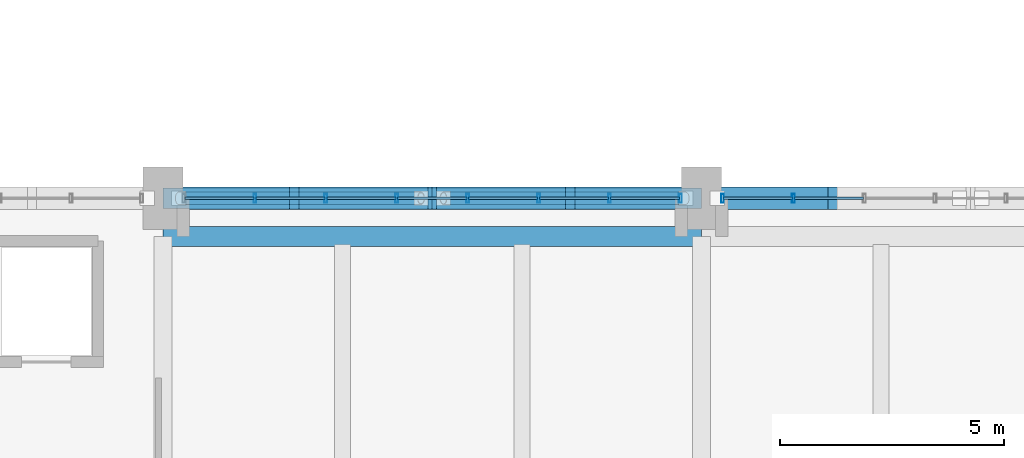
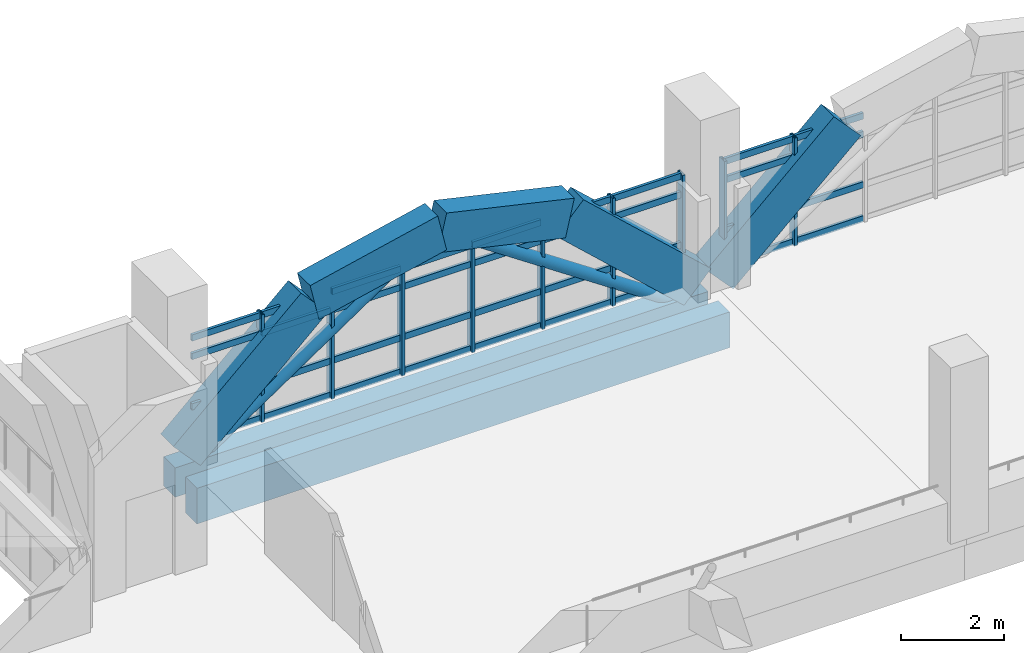
# One storey, part 30 of 161: 47 members, 7 beams, 2 elements without a shape of their own.
"""IFC4 building model written with IfcOpenShell, lengths in metres."""

import ifcopenshell
import ifcopenshell.guid

model = None  # the IFC model being written
_history = None  # IfcOwnerHistory: only IFC2X3 demands one
_inside = {}  # id of a spatial element -> (the spatial element, [elements in it])
_under = {}  # id of a project, library or spatial element -> (it, [spatial elements below it])
_declared = {}  # id of a project -> (the project, [libraries it declares])
_typed = {}  # id of a type object -> (the type object, [elements of that type])
_made_of = {}  # id of a material, layer set ... -> (it, [elements and type objects made of it])


def new_model(schema):
    """Start an empty IFC model of exactly this schema.

    Asked for "IFC4X3", IfcOpenShell would pick the latest addendum, in which some entities
    have other attributes; the version numbers below select the first issue.
    IFC2X3 requires an IfcOwnerHistory on every rooted entity: one is made here for all.
    """
    global model, _history
    if schema == "IFC4X3":
        model = ifcopenshell.file(schema_version=(4, 3, 0, 0))
    else:
        model = ifcopenshell.file(schema=schema)
    _inside.clear()
    _under.clear()
    _declared.clear()
    _typed.clear()
    _made_of.clear()
    _history = None
    if model.schema == "IFC2X3":
        org = make("IfcOrganization", Name="unknown")
        user = make(
            "IfcPersonAndOrganization",
            ThePerson=make("IfcPerson", FamilyName="unknown"),
            TheOrganization=org,
        )
        app = make(
            "IfcApplication",
            ApplicationDeveloper=org,
            Version="unknown",
            ApplicationFullName="unknown",
            ApplicationIdentifier="unknown",
        )
        _history = make(
            "IfcOwnerHistory",
            OwningUser=user,
            OwningApplication=app,
            ChangeAction="ADDED",
            CreationDate=0,
        )
    return model


def make(cls, **values):
    """One entity of the class cls with the attributes given. An attribute that is None is left unset."""
    return model.create_entity(
        cls, **{name: value for name, value in values.items() if value is not None}
    )


def rooted(cls, **values):
    """An entity with a GlobalId (a new one), such as an element, a storey or a relation."""
    return make(cls, GlobalId=ifcopenshell.guid.new(), OwnerHistory=_history, **values)


def si_unit(unit_type, name, prefix=None):
    """IfcSIUnit, for example si_unit("LENGTHUNIT", "METRE", prefix="MILLI")."""
    return make("IfcSIUnit", UnitType=unit_type, Prefix=prefix, Name=name)


def assignment(units):
    """IfcUnitAssignment: the units of a project."""
    return None if units is None else make("IfcUnitAssignment", Units=units)


def point(xyz):
    """IfcCartesianPoint."""
    return None if xyz is None else make("IfcCartesianPoint", Coordinates=xyz)


def direction(xyz):
    """IfcDirection."""
    return None if xyz is None else make("IfcDirection", DirectionRatios=xyz)


def frame(location, z_axis=None, x_axis=None):
    """IfcAxis2Placement3D, a coordinate frame: its origin and axes. An axis left out is left unset."""
    return make(
        "IfcAxis2Placement3D",
        Location=point(location),
        Axis=direction(z_axis),
        RefDirection=direction(x_axis),
    )


def frame_2d(location, x_axis=None):
    """IfcAxis2Placement2D, a coordinate frame in the plane: its origin and x axis."""
    return make(
        "IfcAxis2Placement2D", Location=point(location), RefDirection=direction(x_axis)
    )


def origin():
    """The frame at (0, 0, 0) with its axes left unset."""
    return frame((0.0, 0.0, 0.0))


def origin_2d():
    """The frame at (0, 0) in the plane with its x axis left unset."""
    return frame_2d((0.0, 0.0))


def place(relative_to, where):
    """IfcLocalPlacement: puts the frame where relative to a parent placement (None: the world)."""
    return make(
        "IfcLocalPlacement", PlacementRelTo=relative_to, RelativePlacement=where
    )


def context(
    kind, dimensions, precision=None, world=None, true_north=None, identifier=None
):
    """IfcGeometricRepresentationContext, for example the 3D "Model" context."""
    return make(
        "IfcGeometricRepresentationContext",
        ContextIdentifier=identifier,
        ContextType=kind,
        CoordinateSpaceDimension=dimensions,
        Precision=precision,
        WorldCoordinateSystem=world,
        TrueNorth=true_north,
    )


def subcontext(parent, identifier, kind, view, scale=None):
    """IfcGeometricRepresentationSubContext, for example "Body" below "Model"."""
    return make(
        "IfcGeometricRepresentationSubContext",
        ContextIdentifier=identifier,
        ContextType=kind,
        ParentContext=parent,
        TargetScale=scale,
        TargetView=view,
    )


def project(units=None, contexts=None):
    """IfcProject with its units and contexts."""
    return rooted(
        "IfcProject",
        Name="project",
        RepresentationContexts=contexts,
        UnitsInContext=assignment(units),
    )


def spatial(cls, under=None, at=None, **own):
    """A site, building, storey or space (cls), placed at a placement, below another one or the project."""
    s = rooted(cls, ObjectPlacement=at, **own)
    if under is not None:
        _under.setdefault(under.id(), (under, []))[1].append(s)
    return s


def profile(cls, at=None, kind="AREA", **sizes):
    """A parametric profile (cls). Its sizes go by their IFC names, for example OverallWidth=200.0."""
    return make(cls, ProfileType=kind, Position=at, **sizes)


def rectangle(**sizes):
    """IfcRectangleProfileDef."""
    return profile("IfcRectangleProfileDef", **sizes)


def hollow_rectangle(**sizes):
    """IfcRectangleHollowProfileDef."""
    return profile("IfcRectangleHollowProfileDef", **sizes)


def hollow_circle(**sizes):
    """IfcCircleHollowProfileDef."""
    return profile("IfcCircleHollowProfileDef", **sizes)


def extrude(swept, where, along, depth):
    """IfcExtrudedAreaSolid: the profile swept, set in the frame where, extruded along a direction by depth."""
    return make(
        "IfcExtrudedAreaSolid",
        SweptArea=swept,
        Position=where,
        ExtrudedDirection=direction(along),
        Depth=depth,
    )


def shape(context_of_items, identifier, shape_type, items):
    """IfcShapeRepresentation: the items that make up one representation, for example the "Body"."""
    return make(
        "IfcShapeRepresentation",
        ContextOfItems=context_of_items,
        RepresentationIdentifier=identifier,
        RepresentationType=shape_type,
        Items=items,
    )


def material(Name=None, Category=None):
    """IfcMaterial."""
    return make("IfcMaterial", Name=Name, Category=Category)


def layer(
    of_material, thickness, ventilated=None, Name=None, Category=None, Priority=None
):
    """IfcMaterialLayer: one layer of a wall or slab, of a material (None: an air gap)."""
    return make(
        "IfcMaterialLayer",
        Material=of_material,
        LayerThickness=thickness,
        IsVentilated=ventilated,
        Name=Name,
        Category=Category,
        Priority=Priority,
    )


def layer_set(layers, Name=None):
    """IfcMaterialLayerSet."""
    return make("IfcMaterialLayerSet", MaterialLayers=layers, LayerSetName=Name)


def material_profile(
    of_material, cross_section, Name=None, Category=None, Priority=None
):
    """IfcMaterialProfile: a cross section and its material."""
    return make(
        "IfcMaterialProfile",
        Name=Name,
        Material=of_material,
        Profile=cross_section,
        Priority=Priority,
        Category=Category,
    )


def profile_set(profiles, Name=None, composite=None):
    """IfcMaterialProfileSet."""
    return make(
        "IfcMaterialProfileSet",
        Name=Name,
        MaterialProfiles=profiles,
        CompositeProfile=composite,
    )


def made_of(thing, what):
    """Note that an element or type object is made of a material, layer set ...; save() writes the relation."""
    if what is not None:
        _made_of.setdefault(what.id(), (what, []))[1].append(thing)
    return thing


def type_object(cls, material=None, **own):
    """A type object (cls), such as IfcWallType, which elements share."""
    return made_of(rooted(cls, **own), material)


def element(
    cls,
    number,
    at=None,
    inside=None,
    cuts=None,
    type_object=None,
    material=None,
    context=None,
    identifier="Body",
    shape_type=None,
    held_by="IfcProductDefinitionShape",
    body=None,
    shapes=None,
    **own,
):
    """One element of the class cls, such as IfcWall. Its Tag is "e" and its number.

    at: its placement. inside: the storey or other place that contains it. cuts: it is an
    opening in that element (IfcRelVoidsElement). A single representation is given by context,
    identifier, shape_type and body (its items); several are given by shapes. held_by: the class
    of the entity that holds the representations. save() writes the other relations.
    """
    e = rooted(cls, Tag="e%d" % number, ObjectPlacement=at, **own)
    if body is not None:
        shapes = [shape(context, identifier, shape_type, body)]
    if shapes is not None:
        e.Representation = make(held_by, Representations=shapes)
    if inside is not None:
        _inside.setdefault(inside.id(), (inside, []))[1].append(e)
    if cuts is not None:
        rooted(
            "IfcRelVoidsElement", RelatingBuildingElement=cuts, RelatedOpeningElement=e
        )
    if type_object is not None:
        _typed.setdefault(type_object.id(), (type_object, []))[1].append(e)
    return made_of(e, material)


def aggregate(whole, parts):
    """IfcRelAggregates: a whole, such as a stair, and the parts it consists of."""
    return rooted("IfcRelAggregates", RelatingObject=whole, RelatedObjects=parts)


def save(model, path):
    """Write the relations noted so far, then the file.

    IfcRelAggregates (storeys below a building ...), IfcRelContainedInSpatialStructure (elements
    in a storey), IfcRelDefinesByType, IfcRelAssociatesMaterial and IfcRelDeclares: one each for
    every whole, place, type object, material and project.
    """
    for whole, parts in _under.values():
        aggregate(whole, parts)
    for where, things in _inside.values():
        rooted(
            "IfcRelContainedInSpatialStructure",
            RelatedElements=things,
            RelatingStructure=where,
        )
    for kind, things in _typed.values():
        rooted("IfcRelDefinesByType", RelatedObjects=things, RelatingType=kind)
    for what, things in _made_of.values():
        rooted("IfcRelAssociatesMaterial", RelatedObjects=things, RelatingMaterial=what)
    for by, libraries in _declared.values():
        rooted("IfcRelDeclares", RelatingContext=by, RelatedDefinitions=libraries)
    model.write(path)


model = new_model("IFC4")

# Units and contexts
model_context = context("Model", 3, precision=1e-05, world=origin(), true_north=direction((0.0, 1.0)))
body_context = subcontext(model_context, "Body", "Model", "MODEL_VIEW")
ifc_project = project(units=[si_unit("LENGTHUNIT", "METRE"), si_unit("AREAUNIT", "SQUARE_METRE"), si_unit("VOLUMEUNIT", "CUBIC_METRE"), si_unit("PLANEANGLEUNIT", "RADIAN"), si_unit("MASSUNIT", "GRAM", prefix="KILO")], contexts=[model_context])

# Site, building, storey
site_placement = place(None, origin())
site = spatial("IfcSite", under=ifc_project, at=site_placement, CompositionType="ELEMENT")
building_placement = place(site_placement, origin())
building = spatial("IfcBuilding", under=site, at=building_placement, Name="Mersad Railyard Sports Hall", CompositionType="ELEMENT")
storey_placement = place(building_placement, frame((0.0, 0.0, 4.800048828125)))
storey = spatial("IfcBuildingStorey", under=building, at=storey_placement, Name="L01", CompositionType="ELEMENT", Elevation=4.800048828125)

# Curtain wall, members
ifc_material_1 = material(Name="Aluminium 6063-T6", Category="aluminium")
ifc_layer = layer(ifc_material_1, 0.199951171875)
ifc_layer_set = layer_set([ifc_layer], Name="Aluminium 6063-T6")
curtain_wall_type = type_object("IfcCurtainWallType", Name="ARC-CW-CW02", PredefinedType="USERDEFINED", material=ifc_layer_set)
curtain_wall_1_placement = place(storey_placement, origin())
curtain_wall_1 = element("IfcCurtainWall", 1, at=curtain_wall_1_placement, inside=storey, type_object=curtain_wall_type, Name="Curtain wall CW02-0006", ObjectType="CURTAIN WALL", PredefinedType="USERDEFINED")
ifc_material_profile_1 = material_profile(ifc_material_1, hollow_rectangle(XDim=0.06494140625, YDim=0.199951171875, WallThickness=0.0048828125, at=origin_2d()), Name="AL MULLION 65x200x5")
ifc_profile_set_1 = profile_set([ifc_material_profile_1], Name="Aluminium 6063-T6")
member_type_1 = type_object("IfcMemberType", Name="ARC-CW-MUL02", PredefinedType="MULLION", material=ifc_profile_set_1)
member_1_placement = place(storey_placement, frame((21.050048828125, 53.5, -0.02001953125), z_axis=(0.0, 0.0, 1.0), x_axis=(1.0, 0.0, 0.0)))
member_1 = element("IfcMember", 2, at=member_1_placement, type_object=member_type_1, Name="CW02 Mullion 2", PredefinedType="MULLION", context=body_context, shape_type="SweptSolid", body=[
    extrude(hollow_rectangle(XDim=0.06494140625, YDim=0.199951171875, WallThickness=0.0048828125, at=origin_2d()), origin(), (0.0, 0.0, 1.0), 2.570068359375),
])
member_2_placement = place(storey_placement, frame((22.6298828125, 53.5, -0.02001953125), z_axis=(0.0, 0.0, 1.0), x_axis=(1.0, 0.0, 0.0)))
member_2 = element("IfcMember", 3, at=member_2_placement, type_object=member_type_1, Name="CW02 Mullion 3", PredefinedType="MULLION", context=body_context, shape_type="SweptSolid", body=[
    extrude(hollow_rectangle(XDim=0.06494140625, YDim=0.199951171875, WallThickness=0.0048828125, at=origin_2d()), origin(), (0.0, 0.0, 1.0), 2.570068359375),
])
member_3_placement = place(storey_placement, frame((24.2099609375, 53.5, -0.02001953125), z_axis=(0.0, 0.0, 1.0), x_axis=(1.0, 0.0, 0.0)))
member_3 = element("IfcMember", 4, at=member_3_placement, type_object=member_type_1, Name="CW02 Mullion 4", PredefinedType="MULLION", context=body_context, shape_type="SweptSolid", body=[
    extrude(hollow_rectangle(XDim=0.06494140625, YDim=0.199951171875, WallThickness=0.0048828125, at=origin_2d()), origin(), (0.0, 0.0, 1.0), 2.570068359375),
])
member_4_placement = place(storey_placement, frame((25.7900390625, 53.5, -0.02001953125), z_axis=(0.0, 0.0, 1.0), x_axis=(1.0, 0.0, 0.0)))
member_4 = element("IfcMember", 5, at=member_4_placement, type_object=member_type_1, Name="CW02 Mullion 5", PredefinedType="MULLION", context=body_context, shape_type="SweptSolid", body=[
    extrude(hollow_rectangle(XDim=0.06494140625, YDim=0.199951171875, WallThickness=0.0048828125, at=origin_2d()), origin(), (0.0, 0.0, 1.0), 2.570068359375),
])
member_5_placement = place(storey_placement, frame((27.3701171875, 53.5, -0.02001953125), z_axis=(0.0, 0.0, 1.0), x_axis=(1.0, 0.0, 0.0)))
member_5 = element("IfcMember", 6, at=member_5_placement, type_object=member_type_1, Name="CW02 Mullion 6", PredefinedType="MULLION", context=body_context, shape_type="SweptSolid", body=[
    extrude(hollow_rectangle(XDim=0.06494140625, YDim=0.199951171875, WallThickness=0.0048828125, at=origin_2d()), origin(), (0.0, 0.0, 1.0), 2.570068359375),
])
member_6_placement = place(storey_placement, frame((28.949951171875, 53.5, -0.02001953125), z_axis=(0.0, 0.0, 1.0), x_axis=(1.0, 0.0, 0.0)))
member_6 = element("IfcMember", 7, at=member_6_placement, type_object=member_type_1, Name="CW02 Mullion 7", PredefinedType="MULLION", context=body_context, shape_type="SweptSolid", body=[
    extrude(hollow_rectangle(XDim=0.06494140625, YDim=0.199951171875, WallThickness=0.0048828125, at=origin_2d()), origin(), (0.0, 0.0, 1.0), 2.570068359375),
])
member_7_placement = place(storey_placement, frame((30.530029296875, 53.5, -0.02001953125), z_axis=(0.0, 0.0, 1.0), x_axis=(1.0, 0.0, 0.0)))
member_7 = element("IfcMember", 8, at=member_7_placement, type_object=member_type_1, Name="CW02 Mullion 8", PredefinedType="MULLION", context=body_context, shape_type="SweptSolid", body=[
    extrude(hollow_rectangle(XDim=0.06494140625, YDim=0.199951171875, WallThickness=0.0048828125, at=origin_2d()), origin(), (0.0, 0.0, 1.0), 2.570068359375),
])

curtain_wall_2_placement = place(storey_placement, origin())
curtain_wall_2 = element("IfcCurtainWall", 9, at=curtain_wall_2_placement, inside=storey, type_object=curtain_wall_type, Name="Curtain wall CW02-0010", ObjectType="CURTAIN WALL", PredefinedType="USERDEFINED")
member_8_placement = place(storey_placement, frame((31.469970703125, 53.5, -0.02001953125), z_axis=(0.0, 0.0, 1.0), x_axis=(1.0, 0.0, 0.0)))
member_8 = element("IfcMember", 10, at=member_8_placement, type_object=member_type_1, Name="CW02 Mullion 1", PredefinedType="MULLION", context=body_context, shape_type="SweptSolid", body=[
    extrude(hollow_rectangle(XDim=0.06494140625, YDim=0.199951171875, WallThickness=0.0048828125, at=origin_2d()), origin(), (0.0, 0.0, 1.0), 2.570068359375),
])
member_9_placement = place(storey_placement, frame((33.050048828125, 53.5, -0.02001953125), z_axis=(0.0, 0.0, 1.0), x_axis=(1.0, 0.0, 0.0)))
member_9 = element("IfcMember", 11, at=member_9_placement, type_object=member_type_1, Name="CW02 Mullion 2", PredefinedType="MULLION", context=body_context, shape_type="SweptSolid", body=[
    extrude(hollow_rectangle(XDim=0.06494140625, YDim=0.199951171875, WallThickness=0.0048828125, at=origin_2d()), origin(), (0.0, 0.0, 1.0), 2.570068359375),
])

# Member
ifc_material_profile_2 = material_profile(ifc_material_1, hollow_rectangle(XDim=0.06494140625, YDim=0.14990234375, WallThickness=0.00439453125, at=origin_2d()), Name="AL TRANSOM 65x150x4.5")
ifc_profile_set_2 = profile_set([ifc_material_profile_2], Name="Aluminium 6063-T6")
member_type_2 = type_object("IfcMemberType", Name="ARC-CW-TRN02", PredefinedType="USERDEFINED", material=ifc_profile_set_2)
member_10_placement = place(storey_placement, frame((19.489990234375, 53.5, 0.0400390625), z_axis=(1.0, 0.0, 0.0), x_axis=(0.0, 1.0, 0.0)))
member_10 = element("IfcMember", 12, at=member_10_placement, type_object=member_type_2, Name="CW02 Transom 1-1", ObjectType="TRANSOM", PredefinedType="USERDEFINED", context=body_context, shape_type="SweptSolid", body=[
    extrude(hollow_rectangle(XDim=0.06494140625, YDim=0.14990234375, WallThickness=0.00439453125, at=origin_2d()), origin(), (0.0, 0.0, 1.0), 1.5400390625),
])

member_11_placement = place(storey_placement, frame((21.070068359375, 53.5, 0.0400390625), z_axis=(1.0, 0.0, 0.0), x_axis=(0.0, 1.0, 0.0)))
member_11 = element("IfcMember", 13, at=member_11_placement, type_object=member_type_2, Name="CW02 Transom 1-2", ObjectType="TRANSOM", PredefinedType="USERDEFINED", context=body_context, shape_type="SweptSolid", body=[
    extrude(hollow_rectangle(XDim=0.06494140625, YDim=0.14990234375, WallThickness=0.00439453125, at=origin_2d()), origin(), (0.0, 0.0, 1.0), 1.5400390625),
])

member_12_placement = place(storey_placement, frame((22.64990234375, 53.5, 0.0400390625), z_axis=(1.0, 0.0, 0.0), x_axis=(0.0, 1.0, 0.0)))
member_12 = element("IfcMember", 14, at=member_12_placement, type_object=member_type_2, Name="CW02 Transom 1-3", ObjectType="TRANSOM", PredefinedType="USERDEFINED", context=body_context, shape_type="SweptSolid", body=[
    extrude(hollow_rectangle(XDim=0.06494140625, YDim=0.14990234375, WallThickness=0.00439453125, at=origin_2d()), origin(), (0.0, 0.0, 1.0), 1.5400390625),
])

member_13_placement = place(storey_placement, frame((24.22998046875, 53.5, 0.0400390625), z_axis=(1.0, 0.0, 0.0), x_axis=(0.0, 1.0, 0.0)))
member_13 = element("IfcMember", 15, at=member_13_placement, type_object=member_type_2, Name="CW02 Transom 1-4", ObjectType="TRANSOM", PredefinedType="USERDEFINED", context=body_context, shape_type="SweptSolid", body=[
    extrude(hollow_rectangle(XDim=0.06494140625, YDim=0.14990234375, WallThickness=0.00439453125, at=origin_2d()), origin(), (0.0, 0.0, 1.0), 1.5400390625),
])

member_14_placement = place(storey_placement, frame((25.81005859375, 53.5, 0.0400390625), z_axis=(1.0, 0.0, 0.0), x_axis=(0.0, 1.0, 0.0)))
member_14 = element("IfcMember", 16, at=member_14_placement, type_object=member_type_2, Name="CW02 Transom 1-5", ObjectType="TRANSOM", PredefinedType="USERDEFINED", context=body_context, shape_type="SweptSolid", body=[
    extrude(hollow_rectangle(XDim=0.06494140625, YDim=0.14990234375, WallThickness=0.00439453125, at=origin_2d()), origin(), (0.0, 0.0, 1.0), 1.5400390625),
])

member_15_placement = place(storey_placement, frame((27.389892578125, 53.5, 0.0400390625), z_axis=(1.0, 0.0, 0.0), x_axis=(0.0, 1.0, 0.0)))
member_15 = element("IfcMember", 17, at=member_15_placement, type_object=member_type_2, Name="CW02 Transom 1-6", ObjectType="TRANSOM", PredefinedType="USERDEFINED", context=body_context, shape_type="SweptSolid", body=[
    extrude(hollow_rectangle(XDim=0.06494140625, YDim=0.14990234375, WallThickness=0.00439453125, at=origin_2d()), origin(), (0.0, 0.0, 1.0), 1.5400390625),
])

member_16_placement = place(storey_placement, frame((28.969970703125, 53.5, 0.0400390625), z_axis=(1.0, 0.0, 0.0), x_axis=(0.0, 1.0, 0.0)))
member_16 = element("IfcMember", 18, at=member_16_placement, type_object=member_type_2, Name="CW02 Transom 1-7", ObjectType="TRANSOM", PredefinedType="USERDEFINED", context=body_context, shape_type="SweptSolid", body=[
    extrude(hollow_rectangle(XDim=0.06494140625, YDim=0.14990234375, WallThickness=0.00439453125, at=origin_2d()), origin(), (0.0, 0.0, 1.0), 1.5400390625),
])

member_17_placement = place(storey_placement, frame((19.489990234375, 53.5, 0.849853515625), z_axis=(1.0, 0.0, 0.0), x_axis=(0.0, 1.0, 0.0)))
member_17 = element("IfcMember", 19, at=member_17_placement, type_object=member_type_2, Name="CW02 Transom 2-1", ObjectType="TRANSOM", PredefinedType="USERDEFINED", context=body_context, shape_type="SweptSolid", body=[
    extrude(hollow_rectangle(XDim=0.06494140625, YDim=0.14990234375, WallThickness=0.00439453125, at=origin_2d()), origin(), (0.0, 0.0, 1.0), 1.5400390625),
])

member_18_placement = place(storey_placement, frame((21.070068359375, 53.5, 0.849853515625), z_axis=(1.0, 0.0, 0.0), x_axis=(0.0, 1.0, 0.0)))
member_18 = element("IfcMember", 20, at=member_18_placement, type_object=member_type_2, Name="CW02 Transom 2-2", ObjectType="TRANSOM", PredefinedType="USERDEFINED", context=body_context, shape_type="SweptSolid", body=[
    extrude(hollow_rectangle(XDim=0.06494140625, YDim=0.14990234375, WallThickness=0.00439453125, at=origin_2d()), origin(), (0.0, 0.0, 1.0), 1.5400390625),
])

member_19_placement = place(storey_placement, frame((22.64990234375, 53.5, 0.849853515625), z_axis=(1.0, 0.0, 0.0), x_axis=(0.0, 1.0, 0.0)))
member_19 = element("IfcMember", 21, at=member_19_placement, type_object=member_type_2, Name="CW02 Transom 2-3", ObjectType="TRANSOM", PredefinedType="USERDEFINED", context=body_context, shape_type="SweptSolid", body=[
    extrude(hollow_rectangle(XDim=0.06494140625, YDim=0.14990234375, WallThickness=0.00439453125, at=origin_2d()), origin(), (0.0, 0.0, 1.0), 1.5400390625),
])

member_20_placement = place(storey_placement, frame((24.22998046875, 53.5, 0.849853515625), z_axis=(1.0, 0.0, 0.0), x_axis=(0.0, 1.0, 0.0)))
member_20 = element("IfcMember", 22, at=member_20_placement, type_object=member_type_2, Name="CW02 Transom 2-4", ObjectType="TRANSOM", PredefinedType="USERDEFINED", context=body_context, shape_type="SweptSolid", body=[
    extrude(hollow_rectangle(XDim=0.06494140625, YDim=0.14990234375, WallThickness=0.00439453125, at=origin_2d()), origin(), (0.0, 0.0, 1.0), 1.5400390625),
])

member_21_placement = place(storey_placement, frame((25.81005859375, 53.5, 0.849853515625), z_axis=(1.0, 0.0, 0.0), x_axis=(0.0, 1.0, 0.0)))
member_21 = element("IfcMember", 23, at=member_21_placement, type_object=member_type_2, Name="CW02 Transom 2-5", ObjectType="TRANSOM", PredefinedType="USERDEFINED", context=body_context, shape_type="SweptSolid", body=[
    extrude(hollow_rectangle(XDim=0.06494140625, YDim=0.14990234375, WallThickness=0.00439453125, at=origin_2d()), origin(), (0.0, 0.0, 1.0), 1.5400390625),
])

member_22_placement = place(storey_placement, frame((27.389892578125, 53.5, 0.849853515625), z_axis=(1.0, 0.0, 0.0), x_axis=(0.0, 1.0, 0.0)))
member_22 = element("IfcMember", 24, at=member_22_placement, type_object=member_type_2, Name="CW02 Transom 2-6", ObjectType="TRANSOM", PredefinedType="USERDEFINED", context=body_context, shape_type="SweptSolid", body=[
    extrude(hollow_rectangle(XDim=0.06494140625, YDim=0.14990234375, WallThickness=0.00439453125, at=origin_2d()), origin(), (0.0, 0.0, 1.0), 1.5400390625),
])

member_23_placement = place(storey_placement, frame((28.969970703125, 53.5, 0.849853515625), z_axis=(1.0, 0.0, 0.0), x_axis=(0.0, 1.0, 0.0)))
member_23 = element("IfcMember", 25, at=member_23_placement, type_object=member_type_2, Name="CW02 Transom 2-7", ObjectType="TRANSOM", PredefinedType="USERDEFINED", context=body_context, shape_type="SweptSolid", body=[
    extrude(hollow_rectangle(XDim=0.06494140625, YDim=0.14990234375, WallThickness=0.00439453125, at=origin_2d()), origin(), (0.0, 0.0, 1.0), 1.5400390625),
])

member_24_placement = place(storey_placement, frame((19.489990234375, 53.5, 2.050048828125), z_axis=(1.0, 0.0, 0.0), x_axis=(0.0, 1.0, 0.0)))
member_24 = element("IfcMember", 26, at=member_24_placement, type_object=member_type_2, Name="CW02 Transom 3-1", ObjectType="TRANSOM", PredefinedType="USERDEFINED", context=body_context, shape_type="SweptSolid", body=[
    extrude(hollow_rectangle(XDim=0.06494140625, YDim=0.14990234375, WallThickness=0.00439453125, at=origin_2d()), origin(), (0.0, 0.0, 1.0), 1.5400390625),
])

member_25_placement = place(storey_placement, frame((21.070068359375, 53.5, 2.050048828125), z_axis=(1.0, 0.0, 0.0), x_axis=(0.0, 1.0, 0.0)))
member_25 = element("IfcMember", 27, at=member_25_placement, type_object=member_type_2, Name="CW02 Transom 3-2", ObjectType="TRANSOM", PredefinedType="USERDEFINED", context=body_context, shape_type="SweptSolid", body=[
    extrude(hollow_rectangle(XDim=0.06494140625, YDim=0.14990234375, WallThickness=0.00439453125, at=origin_2d()), origin(), (0.0, 0.0, 1.0), 1.5400390625),
])

member_26_placement = place(storey_placement, frame((22.64990234375, 53.5, 2.050048828125), z_axis=(1.0, 0.0, 0.0), x_axis=(0.0, 1.0, 0.0)))
member_26 = element("IfcMember", 28, at=member_26_placement, type_object=member_type_2, Name="CW02 Transom 3-3", ObjectType="TRANSOM", PredefinedType="USERDEFINED", context=body_context, shape_type="SweptSolid", body=[
    extrude(hollow_rectangle(XDim=0.06494140625, YDim=0.14990234375, WallThickness=0.00439453125, at=origin_2d()), origin(), (0.0, 0.0, 1.0), 1.5400390625),
])

member_27_placement = place(storey_placement, frame((24.22998046875, 53.5, 2.050048828125), z_axis=(1.0, 0.0, 0.0), x_axis=(0.0, 1.0, 0.0)))
member_27 = element("IfcMember", 29, at=member_27_placement, type_object=member_type_2, Name="CW02 Transom 3-4", ObjectType="TRANSOM", PredefinedType="USERDEFINED", context=body_context, shape_type="SweptSolid", body=[
    extrude(hollow_rectangle(XDim=0.06494140625, YDim=0.14990234375, WallThickness=0.00439453125, at=origin_2d()), origin(), (0.0, 0.0, 1.0), 1.5400390625),
])

member_28_placement = place(storey_placement, frame((25.81005859375, 53.5, 2.050048828125), z_axis=(1.0, 0.0, 0.0), x_axis=(0.0, 1.0, 0.0)))
member_28 = element("IfcMember", 30, at=member_28_placement, type_object=member_type_2, Name="CW02 Transom 3-5", ObjectType="TRANSOM", PredefinedType="USERDEFINED", context=body_context, shape_type="SweptSolid", body=[
    extrude(hollow_rectangle(XDim=0.06494140625, YDim=0.14990234375, WallThickness=0.00439453125, at=origin_2d()), origin(), (0.0, 0.0, 1.0), 1.5400390625),
])

member_29_placement = place(storey_placement, frame((27.389892578125, 53.5, 2.050048828125), z_axis=(1.0, 0.0, 0.0), x_axis=(0.0, 1.0, 0.0)))
member_29 = element("IfcMember", 31, at=member_29_placement, type_object=member_type_2, Name="CW02 Transom 3-6", ObjectType="TRANSOM", PredefinedType="USERDEFINED", context=body_context, shape_type="SweptSolid", body=[
    extrude(hollow_rectangle(XDim=0.06494140625, YDim=0.14990234375, WallThickness=0.00439453125, at=origin_2d()), origin(), (0.0, 0.0, 1.0), 1.5400390625),
])

member_30_placement = place(storey_placement, frame((28.969970703125, 53.5, 2.050048828125), z_axis=(1.0, 0.0, 0.0), x_axis=(0.0, 1.0, 0.0)))
member_30 = element("IfcMember", 32, at=member_30_placement, type_object=member_type_2, Name="CW02 Transom 3-7", ObjectType="TRANSOM", PredefinedType="USERDEFINED", context=body_context, shape_type="SweptSolid", body=[
    extrude(hollow_rectangle(XDim=0.06494140625, YDim=0.14990234375, WallThickness=0.00439453125, at=origin_2d()), origin(), (0.0, 0.0, 1.0), 1.5400390625),
])

member_31_placement = place(storey_placement, frame((19.489990234375, 53.5, 2.489990234375), z_axis=(1.0, 0.0, 0.0), x_axis=(0.0, 1.0, 0.0)))
member_31 = element("IfcMember", 33, at=member_31_placement, type_object=member_type_2, Name="CW02 Transom 4-1", ObjectType="TRANSOM", PredefinedType="USERDEFINED", context=body_context, shape_type="SweptSolid", body=[
    extrude(hollow_rectangle(XDim=0.06494140625, YDim=0.14990234375, WallThickness=0.00439453125, at=origin_2d()), origin(), (0.0, 0.0, 1.0), 1.5400390625),
])

member_32_placement = place(storey_placement, frame((21.070068359375, 53.5, 2.489990234375), z_axis=(1.0, 0.0, 0.0), x_axis=(0.0, 1.0, 0.0)))
member_32 = element("IfcMember", 34, at=member_32_placement, type_object=member_type_2, Name="CW02 Transom 4-2", ObjectType="TRANSOM", PredefinedType="USERDEFINED", context=body_context, shape_type="SweptSolid", body=[
    extrude(hollow_rectangle(XDim=0.06494140625, YDim=0.14990234375, WallThickness=0.00439453125, at=origin_2d()), origin(), (0.0, 0.0, 1.0), 1.5400390625),
])

member_33_placement = place(storey_placement, frame((22.64990234375, 53.5, 2.489990234375), z_axis=(1.0, 0.0, 0.0), x_axis=(0.0, 1.0, 0.0)))
member_33 = element("IfcMember", 35, at=member_33_placement, type_object=member_type_2, Name="CW02 Transom 4-3", ObjectType="TRANSOM", PredefinedType="USERDEFINED", context=body_context, shape_type="SweptSolid", body=[
    extrude(hollow_rectangle(XDim=0.06494140625, YDim=0.14990234375, WallThickness=0.00439453125, at=origin_2d()), origin(), (0.0, 0.0, 1.0), 1.5400390625),
])

member_34_placement = place(storey_placement, frame((24.22998046875, 53.5, 2.489990234375), z_axis=(1.0, 0.0, 0.0), x_axis=(0.0, 1.0, 0.0)))
member_34 = element("IfcMember", 36, at=member_34_placement, type_object=member_type_2, Name="CW02 Transom 4-4", ObjectType="TRANSOM", PredefinedType="USERDEFINED", context=body_context, shape_type="SweptSolid", body=[
    extrude(hollow_rectangle(XDim=0.06494140625, YDim=0.14990234375, WallThickness=0.00439453125, at=origin_2d()), origin(), (0.0, 0.0, 1.0), 1.5400390625),
])

member_35_placement = place(storey_placement, frame((25.81005859375, 53.5, 2.489990234375), z_axis=(1.0, 0.0, 0.0), x_axis=(0.0, 1.0, 0.0)))
member_35 = element("IfcMember", 37, at=member_35_placement, type_object=member_type_2, Name="CW02 Transom 4-5", ObjectType="TRANSOM", PredefinedType="USERDEFINED", context=body_context, shape_type="SweptSolid", body=[
    extrude(hollow_rectangle(XDim=0.06494140625, YDim=0.14990234375, WallThickness=0.00439453125, at=origin_2d()), origin(), (0.0, 0.0, 1.0), 1.5400390625),
])

member_36_placement = place(storey_placement, frame((27.389892578125, 53.5, 2.489990234375), z_axis=(1.0, 0.0, 0.0), x_axis=(0.0, 1.0, 0.0)))
member_36 = element("IfcMember", 38, at=member_36_placement, type_object=member_type_2, Name="CW02 Transom 4-6", ObjectType="TRANSOM", PredefinedType="USERDEFINED", context=body_context, shape_type="SweptSolid", body=[
    extrude(hollow_rectangle(XDim=0.06494140625, YDim=0.14990234375, WallThickness=0.00439453125, at=origin_2d()), origin(), (0.0, 0.0, 1.0), 1.5400390625),
])

member_37_placement = place(storey_placement, frame((28.969970703125, 53.5, 2.489990234375), z_axis=(1.0, 0.0, 0.0), x_axis=(0.0, 1.0, 0.0)))
member_37 = element("IfcMember", 39, at=member_37_placement, type_object=member_type_2, Name="CW02 Transom 4-7", ObjectType="TRANSOM", PredefinedType="USERDEFINED", context=body_context, shape_type="SweptSolid", body=[
    extrude(hollow_rectangle(XDim=0.06494140625, YDim=0.14990234375, WallThickness=0.00439453125, at=origin_2d()), origin(), (0.0, 0.0, 1.0), 1.5400390625),
])

aggregate(curtain_wall_1, [member_1, member_2, member_3, member_4, member_5, member_6, member_7, member_10, member_11, member_12, member_13, member_14, member_15, member_16, member_17, member_18, member_19, member_20, member_21, member_22, member_23, member_24, member_25, member_26, member_27, member_28, member_29, member_30, member_31, member_32, member_33, member_34, member_35, member_36, member_37])

member_38_placement = place(storey_placement, frame((31.489990234375, 53.5, 0.0400390625), z_axis=(1.0, 0.0, 0.0), x_axis=(0.0, 1.0, 0.0)))
member_38 = element("IfcMember", 40, at=member_38_placement, type_object=member_type_2, Name="CW02 Transom 1-1", ObjectType="TRANSOM", PredefinedType="USERDEFINED", context=body_context, shape_type="SweptSolid", body=[
    extrude(hollow_rectangle(XDim=0.06494140625, YDim=0.14990234375, WallThickness=0.00439453125, at=origin_2d()), origin(), (0.0, 0.0, 1.0), 1.5400390625),
])

member_39_placement = place(storey_placement, frame((33.070068359375, 53.5, 0.0400390625), z_axis=(1.0, 0.0, 0.0), x_axis=(0.0, 1.0, 0.0)))
member_39 = element("IfcMember", 41, at=member_39_placement, type_object=member_type_2, Name="CW02 Transom 1-2", ObjectType="TRANSOM", PredefinedType="USERDEFINED", context=body_context, shape_type="SweptSolid", body=[
    extrude(hollow_rectangle(XDim=0.06494140625, YDim=0.14990234375, WallThickness=0.00439453125, at=origin_2d()), origin(), (0.0, 0.0, 1.0), 1.5400390625),
])

member_40_placement = place(storey_placement, frame((31.489990234375, 53.5, 0.849853515625), z_axis=(1.0, 0.0, 0.0), x_axis=(0.0, 1.0, 0.0)))
member_40 = element("IfcMember", 42, at=member_40_placement, type_object=member_type_2, Name="CW02 Transom 2-1", ObjectType="TRANSOM", PredefinedType="USERDEFINED", context=body_context, shape_type="SweptSolid", body=[
    extrude(hollow_rectangle(XDim=0.06494140625, YDim=0.14990234375, WallThickness=0.00439453125, at=origin_2d()), origin(), (0.0, 0.0, 1.0), 1.5400390625),
])

member_41_placement = place(storey_placement, frame((33.070068359375, 53.5, 0.849853515625), z_axis=(1.0, 0.0, 0.0), x_axis=(0.0, 1.0, 0.0)))
member_41 = element("IfcMember", 43, at=member_41_placement, type_object=member_type_2, Name="CW02 Transom 2-2", ObjectType="TRANSOM", PredefinedType="USERDEFINED", context=body_context, shape_type="SweptSolid", body=[
    extrude(hollow_rectangle(XDim=0.06494140625, YDim=0.14990234375, WallThickness=0.00439453125, at=origin_2d()), origin(), (0.0, 0.0, 1.0), 1.5400390625),
])

member_42_placement = place(storey_placement, frame((31.489990234375, 53.5, 2.050048828125), z_axis=(1.0, 0.0, 0.0), x_axis=(0.0, 1.0, 0.0)))
member_42 = element("IfcMember", 44, at=member_42_placement, type_object=member_type_2, Name="CW02 Transom 3-1", ObjectType="TRANSOM", PredefinedType="USERDEFINED", context=body_context, shape_type="SweptSolid", body=[
    extrude(hollow_rectangle(XDim=0.06494140625, YDim=0.14990234375, WallThickness=0.00439453125, at=origin_2d()), origin(), (0.0, 0.0, 1.0), 1.5400390625),
])

member_43_placement = place(storey_placement, frame((33.070068359375, 53.5, 2.050048828125), z_axis=(1.0, 0.0, 0.0), x_axis=(0.0, 1.0, 0.0)))
member_43 = element("IfcMember", 45, at=member_43_placement, type_object=member_type_2, Name="CW02 Transom 3-2", ObjectType="TRANSOM", PredefinedType="USERDEFINED", context=body_context, shape_type="SweptSolid", body=[
    extrude(hollow_rectangle(XDim=0.06494140625, YDim=0.14990234375, WallThickness=0.00439453125, at=origin_2d()), origin(), (0.0, 0.0, 1.0), 1.5400390625),
])

member_44_placement = place(storey_placement, frame((31.489990234375, 53.5, 2.489990234375), z_axis=(1.0, 0.0, 0.0), x_axis=(0.0, 1.0, 0.0)))
member_44 = element("IfcMember", 46, at=member_44_placement, type_object=member_type_2, Name="CW02 Transom 4-1", ObjectType="TRANSOM", PredefinedType="USERDEFINED", context=body_context, shape_type="SweptSolid", body=[
    extrude(hollow_rectangle(XDim=0.06494140625, YDim=0.14990234375, WallThickness=0.00439453125, at=origin_2d()), origin(), (0.0, 0.0, 1.0), 1.5400390625),
])

member_45_placement = place(storey_placement, frame((33.070068359375, 53.5, 2.489990234375), z_axis=(1.0, 0.0, 0.0), x_axis=(0.0, 1.0, 0.0)))
member_45 = element("IfcMember", 47, at=member_45_placement, type_object=member_type_2, Name="CW02 Transom 4-2", ObjectType="TRANSOM", PredefinedType="USERDEFINED", context=body_context, shape_type="SweptSolid", body=[
    extrude(hollow_rectangle(XDim=0.06494140625, YDim=0.14990234375, WallThickness=0.00439453125, at=origin_2d()), origin(), (0.0, 0.0, 1.0), 1.5400390625),
])

aggregate(curtain_wall_2, [member_8, member_9, member_38, member_39, member_40, member_41, member_42, member_43, member_44, member_45])

# Beams
ifc_material_2 = material(Name="Concrete C40/50", Category="concrete")
ifc_material_profile_3 = material_profile(ifc_material_2, rectangle(XDim=0.449951171875, YDim=0.85009765625, at=origin_2d()), Name="RC 450x850")
ifc_profile_set_3 = profile_set([ifc_material_profile_3], Name="Concrete C40/50")
beam_type_1 = type_object("IfcBeamType", Name="STR-BM-B02", PredefinedType="BEAM", material=ifc_profile_set_3)
beam_1_placement = place(storey_placement, frame((19.0, 52.64990234375, -0.705078125), z_axis=(1.0, 0.0, 0.0), x_axis=(0.0, 1.0, 0.0)))
element("IfcBeam", 48, at=beam_1_placement, inside=storey, type_object=beam_type_1, Name="Beam B02-0305", PredefinedType="BEAM", context=body_context, shape_type="SweptSolid", body=[
    extrude(rectangle(XDim=0.449951171875, YDim=0.85009765625, at=origin_2d()), origin(), (0.0, 0.0, 1.0), 12.0),
])
ifc_material_3 = material(Name="Architectural concrete C40/50", Category="concrete")
ifc_material_profile_4 = material_profile(ifc_material_3, rectangle(XDim=0.449951171875, YDim=0.699951171875, at=origin_2d()), Name="RC 450x700")
ifc_profile_set_4 = profile_set([ifc_material_profile_4], Name="Architectural concrete C40/50")
beam_type_2 = type_object("IfcBeamType", Name="STR-BM-SP01", PredefinedType="SPANDREL", material=ifc_profile_set_4)
beam_2_placement = place(storey_placement, frame((19.0, 53.5, -0.66015625), z_axis=(1.0, 0.0, 0.0), x_axis=(0.0, 1.0, 0.0)))
element("IfcBeam", 49, at=beam_2_placement, inside=storey, type_object=beam_type_2, Name="Beam SP01-0335", PredefinedType="SPANDREL", context=body_context, shape_type="SweptSolid", body=[
    extrude(rectangle(XDim=0.449951171875, YDim=0.699951171875, at=origin_2d()), origin(), (0.0, 0.0, 1.0), 12.0),
])
ifc_material_4 = material(Name="Architectural concrete C50/60", Category="concrete")
ifc_material_profile_5 = material_profile(ifc_material_4, rectangle(XDim=0.5, YDim=0.89990234375, at=origin_2d()), Name="VR 500x900")
ifc_profile_set_5 = profile_set([ifc_material_profile_5], Name="Architectural concrete C50/60")
beam_type_3 = type_object("IfcBeamType", Name="STR-BM-VR02", PredefinedType="BEAM", material=ifc_profile_set_5)
beam_3_placement = place(storey_placement, frame((19.25, 53.5, -0.10009765625), z_axis=(0.735617187873, 0.0, 0.677397485164), x_axis=(0.0, 1.0, 0.0)))
element("IfcBeam", 50, at=beam_3_placement, inside=storey, type_object=beam_type_3, Name="Beam VR02-0337", PredefinedType="BEAM", context=body_context, shape_type="SweptSolid", body=[
    extrude(rectangle(XDim=0.5, YDim=0.89990234375, at=origin_2d()), origin(), (0.0, 0.0, 1.0), 3.908203125),
])
for number, where, z_axis, x_axis, name in (
    (51, (22.125, 53.5, 2.54736328125), (0.97519301708, 0.0, 0.221356227467), (0.0, 1.0, 0.0), "Beam VR02-0339"),
    (52, (25.0, 53.5, 3.199951171875), (0.97519301708, 0.0, -0.221356227467), (0.0, 1.0, 0.0), "Beam VR02-0341"),
):
    element("IfcBeam", number, at=place(storey_placement, frame(where, z_axis=z_axis, x_axis=x_axis)), inside=storey, type_object=beam_type_3, Name=name, PredefinedType="BEAM", context=body_context, shape_type="SweptSolid", body=[
        extrude(rectangle(XDim=0.5, YDim=0.89990234375, at=origin_2d()), origin(), (0.0, 0.0, 1.0), 2.9482421875),
    ])
for number, where, z_axis, x_axis, name in (
    (53, (27.875, 53.5, 2.54736328125), (0.735617187873, 0.0, -0.677397485164), (0.0, 1.0, 0.0), "Beam VR02-0343"),
    (54, (31.25, 53.5, -0.10009765625), (0.735617187873, 0.0, 0.677397485164), (0.0, 1.0, 0.0), "Beam VR02-0347"),
):
    element("IfcBeam", number, at=place(storey_placement, frame(where, z_axis=z_axis, x_axis=x_axis)), inside=storey, type_object=beam_type_3, Name=name, PredefinedType="BEAM", context=body_context, shape_type="SweptSolid", body=[
        extrude(rectangle(XDim=0.5, YDim=0.89990234375, at=origin_2d()), origin(), (0.0, 0.0, 1.0), 3.908203125),
    ])

# Members
ifc_material_5 = material(Name="Steel S355", Category="steel")
ifc_material_profile_6 = material_profile(ifc_material_5, hollow_circle(Radius=0.136474609375, WallThickness=0.012451171875, at=origin_2d()), Name="CHS 273x12.5")
ifc_profile_set_6 = profile_set([ifc_material_profile_6], Name="Steel S355")
member_type_3 = type_object("IfcMemberType", Name="STR-MEM-BR02", PredefinedType="BRACE", material=ifc_profile_set_6)
for number, where, z_axis, x_axis, name in (
    (55, (19.35009765625, 53.5, -0.6201171875), (0.829190125257, 0.0, 0.558966668215), (0.0, 1.0, 0.0), "Structural member BR02-0007"),
    (56, (30.64990234375, 53.5, -0.6201171875), (-0.829190125257, 0.0, 0.558966668215), (0.0, -1.0, 0.0), "Structural member BR02-0008"),
):
    element("IfcMember", number, at=place(storey_placement, frame(where, z_axis=z_axis, x_axis=x_axis)), inside=storey, type_object=member_type_3, Name=name, PredefinedType="BRACE", context=body_context, shape_type="SweptSolid", body=[
        extrude(hollow_circle(Radius=0.136474609375, WallThickness=0.012451171875, at=origin_2d()), origin(), (0.0, 0.0, 1.0), 6.51220703125),
    ])

save(model, "model.ifc")
